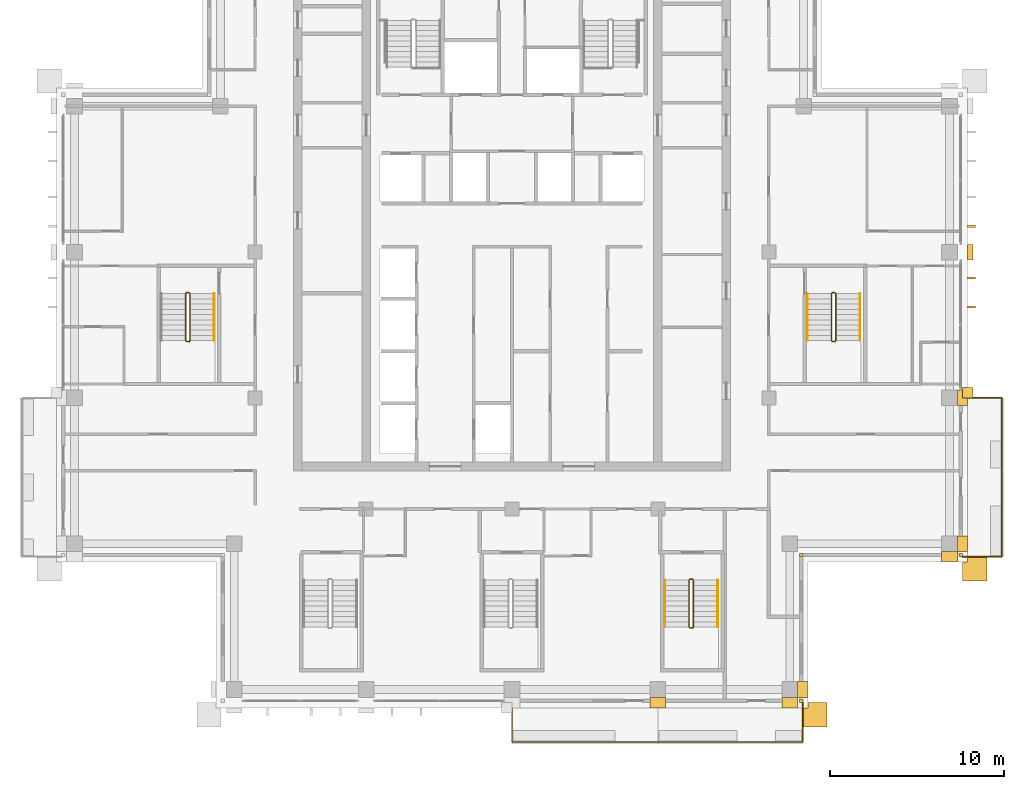
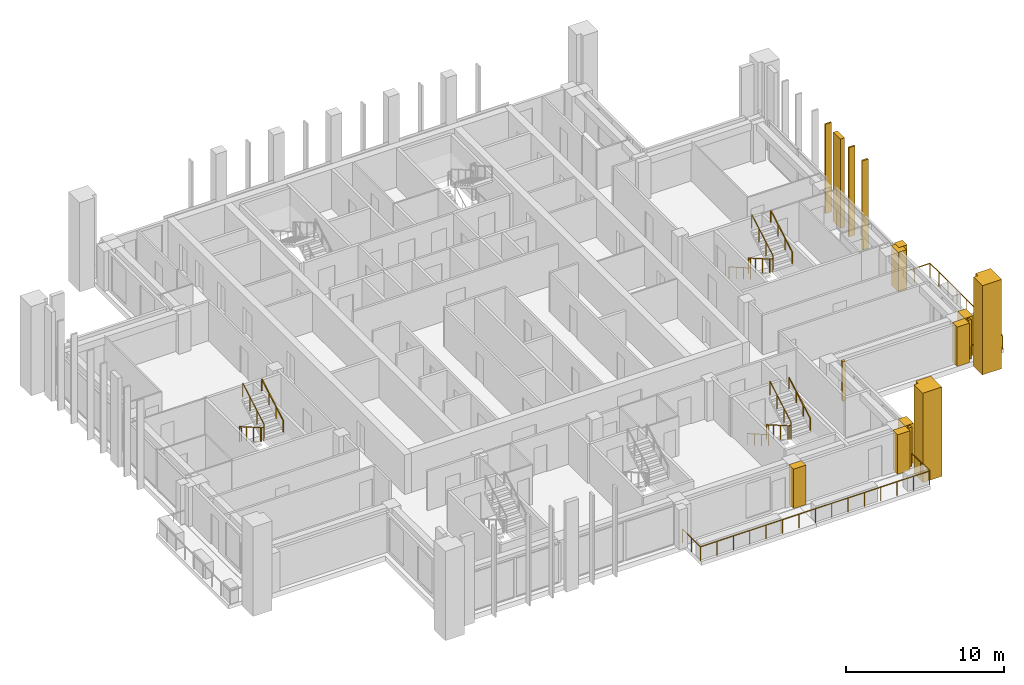
# One storey, part 16 of 18: 16 coverings, 11 railings.
"""IFC4 building model written with IfcOpenShell, lengths in metres."""

from ifc_helpers import new_model, si_unit, direction, frame, origin, origin_2d, place, context, subcontext, project, spatial, polyline, rectangle, outline, extrude, material, layer, layer_set, type_object, element, save


model = new_model("IFC4")

# Units and contexts
model_context = context("Model", 3, precision=1e-05, world=origin(), true_north=direction((0.0, 1.0)))
body_context = subcontext(model_context, "Body", "Model", "MODEL_VIEW")
ifc_project = project(units=[si_unit("LENGTHUNIT", "METRE"), si_unit("AREAUNIT", "SQUARE_METRE"), si_unit("VOLUMEUNIT", "CUBIC_METRE"), si_unit("PLANEANGLEUNIT", "RADIAN"), si_unit("MASSUNIT", "GRAM", prefix="KILO")], contexts=[model_context])

# Site, building, storey
site_placement = place(None, origin())
site = spatial("IfcSite", under=ifc_project, at=site_placement, CompositionType="ELEMENT")
building_placement = place(site_placement, origin())
building = spatial("IfcBuilding", under=site, at=building_placement, Name="Vermilion Ogive Tower", CompositionType="ELEMENT")
storey_placement = place(building_placement, frame((0.0, 0.0, 254.5)))
storey = spatial("IfcBuildingStorey", under=building, at=storey_placement, Name="L67", CompositionType="ELEMENT", Elevation=254.5)

# Railings
ifc_material_1 = material(Name="Stainless steel and glass", Category="steel")
railing_type_1 = type_object("IfcRailingType", Name="Balcony guard", PredefinedType="GUARDRAIL", material=ifc_material_1)
railing_1_placement = place(storey_placement, frame((0.0, -21.75, -0.0400390625)))
element("IfcRailing", 1, at=railing_1_placement, inside=storey, type_object=railing_type_1, Name="Guard S03", PredefinedType="GUARDRAIL", context=body_context, shape_type="SweptSolid", body=[
    extrude(rectangle(XDim=0.048095703125, YDim=0.048095703125, at=origin_2d()), frame((0.0, 0.0, 1.076171875), z_axis=(0.0, -1.0, 0.0), x_axis=(1.0, 0.0, 0.0)), (0.0, 0.0, 1.0), 2.270751953125),
    extrude(rectangle(XDim=0.048095703125, YDim=0.048095703125, at=origin_2d()), frame((0.0, -2.270751953125, 1.076171875), z_axis=(1.0, 0.0, 0.0), x_axis=(0.0, 1.0, 0.0)), (0.0, 0.0, 1.0), 8.39990234375),
    extrude(rectangle(XDim=0.0419921875, YDim=0.0419921875, at=origin_2d()), origin(), (0.0, 0.0, 1.0), 1.052001953125),
    extrude(rectangle(XDim=0.0419921875, YDim=0.0419921875, at=origin_2d()), frame((0.0, -1.13525390625, 0.0)), (0.0, 0.0, 1.0), 1.052001953125),
    extrude(rectangle(XDim=0.0419921875, YDim=0.0419921875, at=origin_2d()), frame((0.0, -2.270751953125, 0.0)), (0.0, 0.0, 1.0), 1.052001953125),
    extrude(rectangle(XDim=0.0419921875, YDim=0.0419921875, at=origin_2d()), frame((1.199951171875, -2.270751953125, 0.0)), (0.0, 0.0, 1.0), 1.052001953125),
    extrude(rectangle(XDim=0.0419921875, YDim=0.0419921875, at=origin_2d()), frame((2.39990234375, -2.270751953125, 0.0)), (0.0, 0.0, 1.0), 1.052001953125),
    extrude(rectangle(XDim=0.0419921875, YDim=0.0419921875, at=origin_2d()), frame((3.599853515625, -2.270751953125, 0.0)), (0.0, 0.0, 1.0), 1.052001953125),
    extrude(rectangle(XDim=0.0419921875, YDim=0.0419921875, at=origin_2d()), frame((4.800048828125, -2.270751953125, 0.0)), (0.0, 0.0, 1.0), 1.052001953125),
    extrude(rectangle(XDim=0.0419921875, YDim=0.0419921875, at=origin_2d()), frame((6.0, -2.270751953125, 0.0)), (0.0, 0.0, 1.0), 1.052001953125),
    extrude(rectangle(XDim=0.0419921875, YDim=0.0419921875, at=origin_2d()), frame((7.199951171875, -2.270751953125, 0.0)), (0.0, 0.0, 1.0), 1.052001953125),
    extrude(rectangle(XDim=0.0419921875, YDim=0.0419921875, at=origin_2d()), frame((8.39990234375, -2.270751953125, 0.0)), (0.0, 0.0, 1.0), 1.052001953125),
])
railing_2_placement = place(storey_placement, frame((8.39990234375, -24.020751953125, -0.0400390625)))
element("IfcRailing", 2, at=railing_2_placement, inside=storey, type_object=railing_type_1, Name="Guard S04", PredefinedType="GUARDRAIL", context=body_context, shape_type="SweptSolid", body=[
    extrude(rectangle(XDim=0.048095703125, YDim=0.048095703125, at=origin_2d()), frame((0.0, 0.0, 1.076171875), z_axis=(1.0, 0.0, 0.0), x_axis=(0.0, 1.0, 0.0)), (0.0, 0.0, 1.0), 8.35009765625),
    extrude(rectangle(XDim=0.048095703125, YDim=0.048095703125, at=origin_2d()), frame((8.35009765625, 0.0, 1.076171875), z_axis=(0.0, 1.0, 0.0), x_axis=(-1.0, 0.0, 0.0)), (0.0, 0.0, 1.0), 2.270751953125),
    extrude(rectangle(XDim=0.0419921875, YDim=0.0419921875, at=origin_2d()), origin(), (0.0, 0.0, 1.0), 1.052001953125),
    extrude(rectangle(XDim=0.0419921875, YDim=0.0419921875, at=origin_2d()), frame((1.19287109375, 0.0, 0.0)), (0.0, 0.0, 1.0), 1.052001953125),
    extrude(rectangle(XDim=0.0419921875, YDim=0.0419921875, at=origin_2d()), frame((2.3857421875, 0.0, 0.0)), (0.0, 0.0, 1.0), 1.052001953125),
    extrude(rectangle(XDim=0.0419921875, YDim=0.0419921875, at=origin_2d()), frame((3.57861328125, 0.0, 0.0)), (0.0, 0.0, 1.0), 1.052001953125),
    extrude(rectangle(XDim=0.0419921875, YDim=0.0419921875, at=origin_2d()), frame((4.771484375, 0.0, 0.0)), (0.0, 0.0, 1.0), 1.052001953125),
    extrude(rectangle(XDim=0.0419921875, YDim=0.0419921875, at=origin_2d()), frame((5.96435546875, 0.0, 0.0)), (0.0, 0.0, 1.0), 1.052001953125),
    extrude(rectangle(XDim=0.0419921875, YDim=0.0419921875, at=origin_2d()), frame((7.1572265625, 0.0, 0.0)), (0.0, 0.0, 1.0), 1.052001953125),
    extrude(rectangle(XDim=0.0419921875, YDim=0.0419921875, at=origin_2d()), frame((8.35009765625, 0.0, 0.0)), (0.0, 0.0, 1.0), 1.052001953125),
    extrude(rectangle(XDim=0.0419921875, YDim=0.0419921875, at=origin_2d()), frame((8.35009765625, 1.13525390625, 0.0)), (0.0, 0.0, 1.0), 1.052001953125),
    extrude(rectangle(XDim=0.0419921875, YDim=0.0419921875, at=origin_2d()), frame((8.35009765625, 2.270751953125, 0.0)), (0.0, 0.0, 1.0), 1.052001953125),
])
railing_3_placement = place(storey_placement, frame((25.949951171875, -13.35009765625, -0.0400390625)))
element("IfcRailing", 3, at=railing_3_placement, inside=storey, type_object=railing_type_1, Name="Guard E01", PredefinedType="GUARDRAIL", context=body_context, shape_type="SweptSolid", body=[
    extrude(rectangle(XDim=0.048095703125, YDim=0.048095703125, at=origin_2d()), frame((0.0, 0.0, 1.076171875), z_axis=(1.0, 0.0, 0.0), x_axis=(0.0, 1.0, 0.0)), (0.0, 0.0, 1.0), 2.270751953125),
    extrude(rectangle(XDim=0.048095703125, YDim=0.048095703125, at=origin_2d()), frame((2.270751953125, 0.0, 1.076171875), z_axis=(0.0, 1.0, 0.0), x_axis=(-1.0, 0.0, 0.0)), (0.0, 0.0, 1.0), 9.150146484375),
    extrude(rectangle(XDim=0.048095703125, YDim=0.048095703125, at=origin_2d()), frame((2.270751953125, 9.150146484375, 1.076171875), z_axis=(-1.0, 0.0, 0.0), x_axis=(0.0, -1.0, 0.0)), (0.0, 0.0, 1.0), 2.270751953125),
    extrude(rectangle(XDim=0.0419921875, YDim=0.0419921875, at=origin_2d()), origin(), (0.0, 0.0, 1.0), 1.052001953125),
    extrude(rectangle(XDim=0.0419921875, YDim=0.0419921875, at=origin_2d()), frame((1.13525390625, 0.0, 0.0)), (0.0, 0.0, 1.0), 1.052001953125),
    extrude(rectangle(XDim=0.0419921875, YDim=0.0419921875, at=origin_2d()), frame((2.270751953125, 0.0, 0.0)), (0.0, 0.0, 1.0), 1.052001953125),
    extrude(rectangle(XDim=0.0419921875, YDim=0.0419921875, at=origin_2d()), frame((2.270751953125, 1.143798828125, 0.0)), (0.0, 0.0, 1.0), 1.052001953125),
    extrude(rectangle(XDim=0.0419921875, YDim=0.0419921875, at=origin_2d()), frame((2.270751953125, 2.28759765625, 0.0)), (0.0, 0.0, 1.0), 1.052001953125),
    extrude(rectangle(XDim=0.0419921875, YDim=0.0419921875, at=origin_2d()), frame((2.270751953125, 3.431396484375, 0.0)), (0.0, 0.0, 1.0), 1.052001953125),
    extrude(rectangle(XDim=0.0419921875, YDim=0.0419921875, at=origin_2d()), frame((2.270751953125, 4.5751953125, 0.0)), (0.0, 0.0, 1.0), 1.052001953125),
    extrude(rectangle(XDim=0.0419921875, YDim=0.0419921875, at=origin_2d()), frame((2.270751953125, 5.71875, 0.0)), (0.0, 0.0, 1.0), 1.052001953125),
    extrude(rectangle(XDim=0.0419921875, YDim=0.0419921875, at=origin_2d()), frame((2.270751953125, 6.862548828125, 0.0)), (0.0, 0.0, 1.0), 1.052001953125),
    extrude(rectangle(XDim=0.0419921875, YDim=0.0419921875, at=origin_2d()), frame((2.270751953125, 8.00634765625, 0.0)), (0.0, 0.0, 1.0), 1.052001953125),
    extrude(rectangle(XDim=0.0419921875, YDim=0.0419921875, at=origin_2d()), frame((2.270751953125, 9.150146484375, 0.0)), (0.0, 0.0, 1.0), 1.052001953125),
    extrude(rectangle(XDim=0.0419921875, YDim=0.0419921875, at=origin_2d()), frame((1.13525390625, 9.150146484375, 0.0)), (0.0, 0.0, 1.0), 1.052001953125),
    extrude(rectangle(XDim=0.0419921875, YDim=0.0419921875, at=origin_2d()), frame((0.0, 9.150146484375, 0.0)), (0.0, 0.0, 1.0), 1.052001953125),
])

# Coverings
ifc_material_2 = material(Name="Glazed ceramic screen")
ifc_layer = layer(ifc_material_2, 0.14990234375)
ifc_layer_set = layer_set([ifc_layer], Name="Ceramic solar screen fin")
covering_type_1 = type_object("IfcCoveringType", Name="Ceramic solar screen fin", PredefinedType="CLADDING", material=ifc_layer_set)
covering_1_placement = place(storey_placement, frame((0.0, 0.0, -0.39990234375)))
element("IfcCovering", 4, at=covering_1_placement, inside=storey, type_object=covering_type_1, Name="Solar screen blade E001", PredefinedType="CLADDING", context=body_context, shape_type="SweptSolid", body=[
    extrude(outline(polyline([(26.699951171875, 0.9775390625), (26.699951171875, 1.097412109375), (26.25, 1.097412109375), (26.25, 0.9775390625), (26.699951171875, 0.9775390625)])), origin(), (0.0, 0.0, 1.0), 6.89990234375),
])
covering_2_placement = place(storey_placement, frame((0.0, 0.0, -0.39990234375)))
element("IfcCovering", 5, at=covering_2_placement, inside=storey, type_object=covering_type_1, Name="Solar screen blade E002", PredefinedType="CLADDING", context=body_context, shape_type="SweptSolid", body=[
    extrude(outline(polyline([(26.699951171875, 2.652587890625), (26.699951171875, 2.7724609375), (26.25, 2.7724609375), (26.25, 2.652587890625), (26.699951171875, 2.652587890625)])), origin(), (0.0, 0.0, 1.0), 6.89990234375),
])
covering_3_placement = place(storey_placement, frame((0.0, 0.0, -0.39990234375)))
element("IfcCovering", 6, at=covering_3_placement, inside=storey, type_object=covering_type_1, Name="Solar screen blade E011", PredefinedType="CLADDING", context=body_context, shape_type="SweptSolid", body=[
    extrude(outline(polyline([(26.699951171875, 5.62744140625), (26.699951171875, 5.74755859375), (26.25, 5.74755859375), (26.25, 5.62744140625), (26.699951171875, 5.62744140625)])), origin(), (0.0, 0.0, 1.0), 6.89990234375),
])

# Railings
ifc_material_3 = material(Name="Steel S355 painted", Category="steel")
railing_type_2 = type_object("IfcRailingType", Name="Stair guard 1100", PredefinedType="GUARDRAIL", material=ifc_material_3)
railing_4_placement = place(storey_placement, frame((10.39990234375, -14.64990234375, 0.0)))
element("IfcRailing", 7, at=railing_4_placement, inside=storey, type_object=railing_type_2, Name="L67 ST5 stair guard 4", PredefinedType="GUARDRAIL", context=body_context, shape_type="SweptSolid", body=[
    extrude(rectangle(XDim=0.048095703125, YDim=0.048095703125, at=origin_2d()), frame((0.0, 0.0, 1.076171875), z_axis=(-1.0, 0.0, 0.0), x_axis=(0.0, -1.0, 0.0)), (0.0, 0.0, 1.0), 0.14990234375),
    extrude(rectangle(XDim=0.048095703125, YDim=0.048095703125, at=origin_2d()), frame((-0.14990234375, 0.0, 1.076171875), z_axis=(-0.268277960024, -0.268277960024, 0.925231793839), x_axis=(0.707106781187, -0.707106781187, 0.0)), (0.0, 0.0, 1.0), 0.1865234375),
    extrude(rectangle(XDim=0.048095703125, YDim=0.048095703125, at=origin_2d()), frame((-0.199951171875, -0.050048828125, 1.24853515625), z_axis=(0.0, -0.866903762492, 0.498475542607), x_axis=(1.0, 0.0, 0.0)), (0.0, 0.0, 1.0), 3.114501953125),
    extrude(rectangle(XDim=0.048095703125, YDim=0.048095703125, at=origin_2d()), frame((-0.199951171875, -2.75, 2.80126953125), z_axis=(0.707106781187, -0.707106781187, 0.0), x_axis=(0.707106781187, 0.707106781187, 0.0)), (0.0, 0.0, 1.0), 0.07080078125),
    extrude(rectangle(XDim=0.048095703125, YDim=0.048095703125, at=origin_2d()), frame((-0.14990234375, -2.800048828125, 2.80126953125), z_axis=(1.0, 0.0, 0.0), x_axis=(0.0, 1.0, 0.0)), (0.0, 0.0, 1.0), 0.14990234375),
    extrude(rectangle(XDim=0.048095703125, YDim=0.048095703125, at=origin_2d()), frame((0.0, -2.800048828125, 2.80126953125), z_axis=(0.268603158521, 0.268603158521, 0.925043072762), x_axis=(-0.707106781187, 0.707106781187, 0.0)), (0.0, 0.0, 1.0), 0.186279296875),
    extrude(rectangle(XDim=0.048095703125, YDim=0.048095703125, at=origin_2d()), frame((0.050048828125, -2.75, 2.9736328125), z_axis=(0.0, 0.866903762492, 0.498475542607), x_axis=(-1.0, 0.0, 0.0)), (0.0, 0.0, 1.0), 3.114501953125),
    extrude(rectangle(XDim=0.0419921875, YDim=0.0419921875, at=origin_2d()), origin(), (0.0, 0.0, 1.0), 1.052001953125),
    extrude(rectangle(XDim=0.0419921875, YDim=0.0419921875, at=origin_2d()), frame((-0.14990234375, 0.0, 0.0)), (0.0, 0.0, 1.0), 1.052001953125),
    extrude(rectangle(XDim=0.0419921875, YDim=0.0419921875, at=origin_2d()), frame((-0.199951171875, -0.050048828125, 0.172607421875)), (0.0, 0.0, 1.0), 1.052001953125),
    extrude(rectangle(XDim=0.0419921875, YDim=0.0419921875, at=origin_2d()), frame((-0.199951171875, -0.949951171875, 0.690185546875)), (0.0, 0.0, 1.0), 1.052001953125),
    extrude(rectangle(XDim=0.0419921875, YDim=0.0419921875, at=origin_2d()), frame((-0.199951171875, -1.85009765625, 1.20751953125)), (0.0, 0.0, 1.0), 1.052001953125),
    extrude(rectangle(XDim=0.0419921875, YDim=0.0419921875, at=origin_2d()), frame((-0.199951171875, -2.75, 1.72509765625)), (0.0, 0.0, 1.0), 1.052001953125),
    extrude(rectangle(XDim=0.0419921875, YDim=0.0419921875, at=origin_2d()), frame((-0.14990234375, -2.800048828125, 1.72509765625)), (0.0, 0.0, 1.0), 1.052001953125),
    extrude(rectangle(XDim=0.0419921875, YDim=0.0419921875, at=origin_2d()), frame((0.0, -2.800048828125, 1.72509765625)), (0.0, 0.0, 1.0), 1.052001953125),
    extrude(rectangle(XDim=0.0419921875, YDim=0.0419921875, at=origin_2d()), frame((0.050048828125, -2.75, 1.8974609375)), (0.0, 0.0, 1.0), 1.052001953125),
    extrude(rectangle(XDim=0.0419921875, YDim=0.0419921875, at=origin_2d()), frame((0.050048828125, -1.85009765625, 2.4150390625)), (0.0, 0.0, 1.0), 1.052001953125),
    extrude(rectangle(XDim=0.0419921875, YDim=0.0419921875, at=origin_2d()), frame((0.050048828125, -0.949951171875, 2.932373046875)), (0.0, 0.0, 1.0), 1.052001953125),
    extrude(rectangle(XDim=0.0419921875, YDim=0.0419921875, at=origin_2d()), frame((0.050048828125, -0.050048828125, 3.449951171875)), (0.0, 0.0, 1.0), 1.052001953125),
])
railing_5_placement = place(storey_placement, frame((18.60009765625, 1.85009765625, 0.0)))
element("IfcRailing", 8, at=railing_5_placement, inside=storey, type_object=railing_type_2, Name="L67 ST8 stair guard 4", PredefinedType="GUARDRAIL", context=body_context, shape_type="SweptSolid", body=[
    extrude(rectangle(XDim=0.048095703125, YDim=0.048095703125, at=origin_2d()), frame((0.0, 0.0, 1.076171875), z_axis=(-1.0, 0.0, 0.0), x_axis=(0.0, -1.0, 0.0)), (0.0, 0.0, 1.0), 0.150146484375),
    extrude(rectangle(XDim=0.048095703125, YDim=0.048095703125, at=origin_2d()), frame((-0.150146484375, 0.0, 1.076171875), z_axis=(-0.268277960024, -0.268277960024, 0.925231793839), x_axis=(0.707106781187, -0.707106781187, 0.0)), (0.0, 0.0, 1.0), 0.1865234375),
    extrude(rectangle(XDim=0.048095703125, YDim=0.048095703125, at=origin_2d()), frame((-0.2001953125, -0.050048828125, 1.24853515625), z_axis=(0.0, -0.866903762492, 0.498475542607), x_axis=(1.0, 0.0, 0.0)), (0.0, 0.0, 1.0), 3.114501953125),
    extrude(rectangle(XDim=0.048095703125, YDim=0.048095703125, at=origin_2d()), frame((-0.2001953125, -2.75, 2.80126953125), z_axis=(0.707106781187, -0.707106781187, 0.0), x_axis=(0.707106781187, 0.707106781187, 0.0)), (0.0, 0.0, 1.0), 0.07080078125),
    extrude(rectangle(XDim=0.048095703125, YDim=0.048095703125, at=origin_2d()), frame((-0.150146484375, -2.800048828125, 2.80126953125), z_axis=(1.0, 0.0, 0.0), x_axis=(0.0, 1.0, 0.0)), (0.0, 0.0, 1.0), 0.150146484375),
    extrude(rectangle(XDim=0.048095703125, YDim=0.048095703125, at=origin_2d()), frame((0.0, -2.800048828125, 2.80126953125), z_axis=(0.267386790225, 0.268697509785, 0.925368009307), x_axis=(-0.708833529934, 0.705375805398, 0.0)), (0.0, 0.0, 1.0), 0.186279296875),
    extrude(rectangle(XDim=0.048095703125, YDim=0.048095703125, at=origin_2d()), frame((0.0498046875, -2.75, 2.9736328125), z_axis=(0.0, 0.866903762492, 0.498475542607), x_axis=(-1.0, 0.0, 0.0)), (0.0, 0.0, 1.0), 3.114501953125),
    extrude(rectangle(XDim=0.0419921875, YDim=0.0419921875, at=origin_2d()), origin(), (0.0, 0.0, 1.0), 1.052001953125),
    extrude(rectangle(XDim=0.0419921875, YDim=0.0419921875, at=origin_2d()), frame((-0.150146484375, 0.0, 0.0)), (0.0, 0.0, 1.0), 1.052001953125),
    extrude(rectangle(XDim=0.0419921875, YDim=0.0419921875, at=origin_2d()), frame((-0.2001953125, -0.050048828125, 0.172607421875)), (0.0, 0.0, 1.0), 1.052001953125),
    extrude(rectangle(XDim=0.0419921875, YDim=0.0419921875, at=origin_2d()), frame((-0.2001953125, -0.949951171875, 0.690185546875)), (0.0, 0.0, 1.0), 1.052001953125),
    extrude(rectangle(XDim=0.0419921875, YDim=0.0419921875, at=origin_2d()), frame((-0.2001953125, -1.85009765625, 1.20751953125)), (0.0, 0.0, 1.0), 1.052001953125),
    extrude(rectangle(XDim=0.0419921875, YDim=0.0419921875, at=origin_2d()), frame((-0.2001953125, -2.75, 1.72509765625)), (0.0, 0.0, 1.0), 1.052001953125),
    extrude(rectangle(XDim=0.0419921875, YDim=0.0419921875, at=origin_2d()), frame((-0.150146484375, -2.800048828125, 1.72509765625)), (0.0, 0.0, 1.0), 1.052001953125),
    extrude(rectangle(XDim=0.0419921875, YDim=0.0419921875, at=origin_2d()), frame((0.0, -2.800048828125, 1.72509765625)), (0.0, 0.0, 1.0), 1.052001953125),
    extrude(rectangle(XDim=0.0419921875, YDim=0.0419921875, at=origin_2d()), frame((0.0498046875, -2.75, 1.8974609375)), (0.0, 0.0, 1.0), 1.052001953125),
    extrude(rectangle(XDim=0.0419921875, YDim=0.0419921875, at=origin_2d()), frame((0.0498046875, -1.85009765625, 2.4150390625)), (0.0, 0.0, 1.0), 1.052001953125),
    extrude(rectangle(XDim=0.0419921875, YDim=0.0419921875, at=origin_2d()), frame((0.0498046875, -0.949951171875, 2.932373046875)), (0.0, 0.0, 1.0), 1.052001953125),
    extrude(rectangle(XDim=0.0419921875, YDim=0.0419921875, at=origin_2d()), frame((0.0498046875, -0.050048828125, 3.449951171875)), (0.0, 0.0, 1.0), 1.052001953125),
])
railing_6_placement = place(storey_placement, frame((-18.60009765625, 1.85009765625, 0.0)))
element("IfcRailing", 9, at=railing_6_placement, inside=storey, type_object=railing_type_2, Name="L67 ST9 stair guard 4", PredefinedType="GUARDRAIL", context=body_context, shape_type="SweptSolid", body=[
    extrude(rectangle(XDim=0.048095703125, YDim=0.048095703125, at=origin_2d()), frame((0.0, 0.0, 1.076171875), z_axis=(-1.0, 0.0, 0.0), x_axis=(0.0, -1.0, 0.0)), (0.0, 0.0, 1.0), 0.14990234375),
    extrude(rectangle(XDim=0.048095703125, YDim=0.048095703125, at=origin_2d()), frame((-0.14990234375, 0.0, 1.076171875), z_axis=(-0.268277960024, -0.268277960024, 0.925231793839), x_axis=(0.707106781187, -0.707106781187, 0.0)), (0.0, 0.0, 1.0), 0.1865234375),
    extrude(rectangle(XDim=0.048095703125, YDim=0.048095703125, at=origin_2d()), frame((-0.199951171875, -0.050048828125, 1.24853515625), z_axis=(0.0, -0.866903762492, 0.498475542607), x_axis=(1.0, 0.0, 0.0)), (0.0, 0.0, 1.0), 3.114501953125),
    extrude(rectangle(XDim=0.048095703125, YDim=0.048095703125, at=origin_2d()), frame((-0.199951171875, -2.75, 2.80126953125), z_axis=(0.707106781187, -0.707106781187, 0.0), x_axis=(0.707106781187, 0.707106781187, 0.0)), (0.0, 0.0, 1.0), 0.07080078125),
    extrude(rectangle(XDim=0.048095703125, YDim=0.048095703125, at=origin_2d()), frame((-0.14990234375, -2.800048828125, 2.80126953125), z_axis=(1.0, 0.0, 0.0), x_axis=(0.0, 1.0, 0.0)), (0.0, 0.0, 1.0), 0.14990234375),
    extrude(rectangle(XDim=0.048095703125, YDim=0.048095703125, at=origin_2d()), frame((0.0, -2.800048828125, 2.80126953125), z_axis=(0.268603158521, 0.268603158521, 0.925043072762), x_axis=(-0.707106781187, 0.707106781187, 0.0)), (0.0, 0.0, 1.0), 0.186279296875),
    extrude(rectangle(XDim=0.048095703125, YDim=0.048095703125, at=origin_2d()), frame((0.050048828125, -2.75, 2.9736328125), z_axis=(0.0, 0.866903762492, 0.498475542607), x_axis=(-1.0, 0.0, 0.0)), (0.0, 0.0, 1.0), 3.114501953125),
    extrude(rectangle(XDim=0.0419921875, YDim=0.0419921875, at=origin_2d()), origin(), (0.0, 0.0, 1.0), 1.052001953125),
    extrude(rectangle(XDim=0.0419921875, YDim=0.0419921875, at=origin_2d()), frame((-0.14990234375, 0.0, 0.0)), (0.0, 0.0, 1.0), 1.052001953125),
    extrude(rectangle(XDim=0.0419921875, YDim=0.0419921875, at=origin_2d()), frame((-0.199951171875, -0.050048828125, 0.172607421875)), (0.0, 0.0, 1.0), 1.052001953125),
    extrude(rectangle(XDim=0.0419921875, YDim=0.0419921875, at=origin_2d()), frame((-0.199951171875, -0.949951171875, 0.690185546875)), (0.0, 0.0, 1.0), 1.052001953125),
    extrude(rectangle(XDim=0.0419921875, YDim=0.0419921875, at=origin_2d()), frame((-0.199951171875, -1.85009765625, 1.20751953125)), (0.0, 0.0, 1.0), 1.052001953125),
    extrude(rectangle(XDim=0.0419921875, YDim=0.0419921875, at=origin_2d()), frame((-0.199951171875, -2.75, 1.72509765625)), (0.0, 0.0, 1.0), 1.052001953125),
    extrude(rectangle(XDim=0.0419921875, YDim=0.0419921875, at=origin_2d()), frame((-0.14990234375, -2.800048828125, 1.72509765625)), (0.0, 0.0, 1.0), 1.052001953125),
    extrude(rectangle(XDim=0.0419921875, YDim=0.0419921875, at=origin_2d()), frame((0.0, -2.800048828125, 1.72509765625)), (0.0, 0.0, 1.0), 1.052001953125),
    extrude(rectangle(XDim=0.0419921875, YDim=0.0419921875, at=origin_2d()), frame((0.050048828125, -2.75, 1.8974609375)), (0.0, 0.0, 1.0), 1.052001953125),
    extrude(rectangle(XDim=0.0419921875, YDim=0.0419921875, at=origin_2d()), frame((0.050048828125, -1.85009765625, 2.4150390625)), (0.0, 0.0, 1.0), 1.052001953125),
    extrude(rectangle(XDim=0.0419921875, YDim=0.0419921875, at=origin_2d()), frame((0.050048828125, -0.949951171875, 2.932373046875)), (0.0, 0.0, 1.0), 1.052001953125),
    extrude(rectangle(XDim=0.0419921875, YDim=0.0419921875, at=origin_2d()), frame((0.050048828125, -0.050048828125, 3.449951171875)), (0.0, 0.0, 1.0), 1.052001953125),
])
ifc_material_4 = material(Name="Stainless steel", Category="steel")
railing_type_3 = type_object("IfcRailingType", Name="Stair handrail 900", PredefinedType="HANDRAIL", material=ifc_material_4)
railing_7_placement = place(storey_placement, frame((8.800048828125, -14.699951171875, 0.172607421875)))
element("IfcRailing", 10, at=railing_7_placement, inside=storey, type_object=railing_type_3, Name="L67 ST5 stair handrail 1", PredefinedType="HANDRAIL", context=body_context, shape_type="SweptSolid", body=[
    extrude(rectangle(XDim=0.048095703125, YDim=0.048095703125, at=origin_2d()), frame((0.0, 0.0, 0.8759765625), z_axis=(0.0, -0.866903762492, 0.498475542607), x_axis=(1.0, 0.0, 0.0)), (0.0, 0.0, 1.0), 3.114501953125),
    extrude(rectangle(XDim=0.0419921875, YDim=0.0419921875, at=origin_2d()), origin(), (0.0, 0.0, 1.0), 0.851806640625),
    extrude(rectangle(XDim=0.0419921875, YDim=0.0419921875, at=origin_2d()), frame((0.0, -0.89990234375, 0.517578125)), (0.0, 0.0, 1.0), 0.851806640625),
    extrude(rectangle(XDim=0.0419921875, YDim=0.0419921875, at=origin_2d()), frame((0.0, -1.800048828125, 1.034912109375)), (0.0, 0.0, 1.0), 0.851806640625),
    extrude(rectangle(XDim=0.0419921875, YDim=0.0419921875, at=origin_2d()), frame((0.0, -2.699951171875, 1.552490234375)), (0.0, 0.0, 1.0), 0.851806640625),
])
railing_8_placement = place(storey_placement, frame((11.85009765625, -17.39990234375, 1.8974609375)))
element("IfcRailing", 11, at=railing_8_placement, inside=storey, type_object=railing_type_3, Name="L67 ST5 stair handrail 2", PredefinedType="HANDRAIL", context=body_context, shape_type="SweptSolid", body=[
    extrude(rectangle(XDim=0.048095703125, YDim=0.048095703125, at=origin_2d()), frame((0.0, 0.0, 0.8759765625), z_axis=(0.0, 0.866903762492, 0.498475542607), x_axis=(-1.0, 0.0, 0.0)), (0.0, 0.0, 1.0), 3.114501953125),
    extrude(rectangle(XDim=0.0419921875, YDim=0.0419921875, at=origin_2d()), origin(), (0.0, 0.0, 1.0), 0.851806640625),
    extrude(rectangle(XDim=0.0419921875, YDim=0.0419921875, at=origin_2d()), frame((0.0, 0.89990234375, 0.517578125)), (0.0, 0.0, 1.0), 0.851806640625),
    extrude(rectangle(XDim=0.0419921875, YDim=0.0419921875, at=origin_2d()), frame((0.0, 1.800048828125, 1.034912109375)), (0.0, 0.0, 1.0), 0.851806640625),
    extrude(rectangle(XDim=0.0419921875, YDim=0.0419921875, at=origin_2d()), frame((0.0, 2.699951171875, 1.552490234375)), (0.0, 0.0, 1.0), 0.851806640625),
])
railing_9_placement = place(storey_placement, frame((17.0, 1.800048828125, 0.172607421875)))
element("IfcRailing", 12, at=railing_9_placement, inside=storey, type_object=railing_type_3, Name="L67 ST8 stair handrail 1", PredefinedType="HANDRAIL", context=body_context, shape_type="SweptSolid", body=[
    extrude(rectangle(XDim=0.048095703125, YDim=0.048095703125, at=origin_2d()), frame((0.0, 0.0, 0.8759765625), z_axis=(0.0, -0.866903762492, 0.498475542607), x_axis=(1.0, 0.0, 0.0)), (0.0, 0.0, 1.0), 3.114501953125),
    extrude(rectangle(XDim=0.0419921875, YDim=0.0419921875, at=origin_2d()), origin(), (0.0, 0.0, 1.0), 0.851806640625),
    extrude(rectangle(XDim=0.0419921875, YDim=0.0419921875, at=origin_2d()), frame((0.0, -0.89990234375, 0.517578125)), (0.0, 0.0, 1.0), 0.851806640625),
    extrude(rectangle(XDim=0.0419921875, YDim=0.0419921875, at=origin_2d()), frame((0.0, -1.800048828125, 1.034912109375)), (0.0, 0.0, 1.0), 0.851806640625),
    extrude(rectangle(XDim=0.0419921875, YDim=0.0419921875, at=origin_2d()), frame((0.0, -2.699951171875, 1.552490234375)), (0.0, 0.0, 1.0), 0.851806640625),
])
for number, where, name in (
    (13, (20.050048828125, -0.89990234375, 1.8974609375), "L67 ST8 stair handrail 2"),
    (14, (-17.14990234375, -0.89990234375, 1.8974609375), "L67 ST9 stair handrail 2"),
):
    element("IfcRailing", number, at=place(storey_placement, frame(where)), inside=storey, type_object=railing_type_3, Name=name, PredefinedType="HANDRAIL", context=body_context, shape_type="SweptSolid", body=[
        extrude(rectangle(XDim=0.048095703125, YDim=0.048095703125, at=origin_2d()), frame((0.0, 0.0, 0.8759765625), z_axis=(0.0, 0.866903762492, 0.498475542607), x_axis=(-1.0, 0.0, 0.0)), (0.0, 0.0, 1.0), 3.114501953125),
        extrude(rectangle(XDim=0.0419921875, YDim=0.0419921875, at=origin_2d()), origin(), (0.0, 0.0, 1.0), 0.851806640625),
        extrude(rectangle(XDim=0.0419921875, YDim=0.0419921875, at=origin_2d()), frame((0.0, 0.89990234375, 0.517578125)), (0.0, 0.0, 1.0), 0.851806640625),
        extrude(rectangle(XDim=0.0419921875, YDim=0.0419921875, at=origin_2d()), frame((0.0, 1.800048828125, 1.034912109375)), (0.0, 0.0, 1.0), 0.851806640625),
        extrude(rectangle(XDim=0.0419921875, YDim=0.0419921875, at=origin_2d()), frame((0.0, 2.699951171875, 1.552490234375)), (0.0, 0.0, 1.0), 0.851806640625),
    ])

# Coverings
ifc_material_5 = material(Name="Stone cladding", Category="masonry")
covering_type_2 = type_object("IfcCoveringType", Name="Stone corner buttress", PredefinedType="CLADDING", material=ifc_material_5)
covering_4_placement = place(storey_placement, origin())
element("IfcCovering", 15, at=covering_4_placement, inside=storey, type_object=covering_type_2, Name="Stone crease pier EK", PredefinedType="CLADDING", context=body_context, shape_type="SweptSolid", body=[
    extrude(outline(polyline([(26.550048828125, -4.199951171875), (26.550048828125, -3.60009765625), (25.949951171875, -3.60009765625), (25.949951171875, -4.199951171875), (26.550048828125, -4.199951171875)])), origin(), (0.0, 0.0, 1.0), 3.050048828125),
])
covering_5_placement = place(storey_placement, frame((0.0, 0.0, -0.39990234375)))
element("IfcCovering", 16, at=covering_5_placement, inside=storey, type_object=covering_type_2, Name="Stone corner buttress X11", PredefinedType="CLADDING", context=body_context, shape_type="SweptSolid", body=[
    extrude(outline(polyline([(16.75, -23.14990234375), (16.75, -22.050048828125), (17.050048828125, -22.050048828125), (17.050048828125, -21.75), (18.14990234375, -21.75), (18.14990234375, -23.14990234375), (16.75, -23.14990234375)])), origin(), (0.0, 0.0, 1.0), 6.89990234375),
])
covering_6_placement = place(storey_placement, frame((0.0, 0.0, -0.39990234375)))
element("IfcCovering", 17, at=covering_6_placement, inside=storey, type_object=covering_type_2, Name="Stone corner buttress E1", PredefinedType="CLADDING", context=body_context, shape_type="SweptSolid", body=[
    extrude(outline(polyline([(26.25, -13.64990234375), (26.25, -13.35009765625), (27.35009765625, -13.35009765625), (27.35009765625, -14.75), (25.949951171875, -14.75), (25.949951171875, -13.64990234375), (26.25, -13.64990234375)])), origin(), (0.0, 0.0, 1.0), 6.89990234375),
])
ifc_material_6 = material(Name="Stone cladding", Category="masonry")
covering_type_3 = type_object("IfcCoveringType", Name="Stone pier", PredefinedType="CLADDING", material=ifc_material_6)
covering_7_placement = place(storey_placement, origin())
element("IfcCovering", 18, at=covering_7_placement, inside=storey, type_object=covering_type_3, Name="Stone corner pier SE1", PredefinedType="CLADDING", context=body_context, shape_type="SweptSolid", body=[
    extrude(outline(polyline([(16.550048828125, -21.550048828125), (16.75, -21.550048828125), (16.75, -21.75), (16.550048828125, -21.75), (16.550048828125, -21.550048828125)])), origin(), (0.0, 0.0, 1.0), 3.050048828125),
])
covering_8_placement = place(storey_placement, origin())
element("IfcCovering", 19, at=covering_8_placement, inside=storey, type_object=covering_type_3, Name="Stone corner pier X1E1", PredefinedType="CLADDING", context=body_context, shape_type="SweptSolid", body=[
    extrude(outline(polyline([(16.550048828125, -13.14990234375), (16.75, -13.14990234375), (16.75, -13.35009765625), (16.550048828125, -13.35009765625), (16.550048828125, -13.14990234375)])), origin(), (0.0, 0.0, 1.0), 3.050048828125),
])
covering_9_placement = place(storey_placement, origin())
element("IfcCovering", 20, at=covering_9_placement, inside=storey, type_object=covering_type_3, Name="Stone corner pier X2E1", PredefinedType="CLADDING", context=body_context, shape_type="SweptSolid", body=[
    extrude(outline(polyline([(25.75, -13.14990234375), (25.949951171875, -13.14990234375), (25.949951171875, -13.35009765625), (25.75, -13.35009765625), (25.75, -13.14990234375)])), origin(), (0.0, 0.0, 1.0), 3.050048828125),
])
covering_10_placement = place(storey_placement, frame((0.0, 0.0, -0.39990234375)))
element("IfcCovering", 21, at=covering_10_placement, inside=storey, type_object=covering_type_3, Name="Stone pier P+0252+042", PredefinedType="CLADDING", context=body_context, shape_type="SweptSolid", body=[
    extrude(outline(polyline([(26.550048828125, 4.64990234375), (26.550048828125, 3.75), (26.25, 3.75), (26.25, 4.64990234375), (26.550048828125, 4.64990234375)])), origin(), (0.0, 0.0, 1.0), 6.89990234375),
])
covering_11_placement = place(storey_placement, origin())
element("IfcCovering", 22, at=covering_11_placement, inside=storey, type_object=covering_type_3, Name="Stone pier P+0084-210", PredefinedType="CLADDING", context=body_context, shape_type="SweptSolid", body=[
    extrude(outline(polyline([(8.85009765625, -21.449951171875), (8.85009765625, -22.050048828125), (7.949951171875, -22.050048828125), (7.949951171875, -21.449951171875), (7.949951171875, -21.449951171875), (8.85009765625, -21.449951171875)])), origin(), (0.0, 0.0, 1.0), 3.050048828125),
])
covering_12_placement = place(storey_placement, origin())
element("IfcCovering", 23, at=covering_12_placement, inside=storey, type_object=covering_type_3, Name="Stone pier P+0160-210S", PredefinedType="CLADDING", context=body_context, shape_type="SweptSolid", body=[
    extrude(outline(polyline([(16.449951171875, -21.449951171875), (16.449951171875, -21.449951171875), (16.449951171875, -22.050048828125), (15.550048828125, -22.050048828125), (15.550048828125, -21.449951171875), (15.550048828125, -21.449951171875), (16.449951171875, -21.449951171875)])), origin(), (0.0, 0.0, 1.0), 3.050048828125),
])
covering_13_placement = place(storey_placement, origin())
element("IfcCovering", 24, at=covering_13_placement, inside=storey, type_object=covering_type_3, Name="Stone pier P+0160-210X1", PredefinedType="CLADDING", context=body_context, shape_type="SweptSolid", body=[
    extrude(outline(polyline([(17.050048828125, -21.449951171875), (16.449951171875, -21.449951171875), (16.449951171875, -21.449951171875), (16.449951171875, -20.550048828125), (17.050048828125, -20.550048828125), (17.050048828125, -21.449951171875)])), origin(), (0.0, 0.0, 1.0), 3.050048828125),
])
covering_14_placement = place(storey_placement, origin())
element("IfcCovering", 25, at=covering_14_placement, inside=storey, type_object=covering_type_3, Name="Stone pier P+0252-042", PredefinedType="CLADDING", context=body_context, shape_type="SweptSolid", body=[
    extrude(outline(polyline([(25.949951171875, -3.75), (25.949951171875, -4.199951171875), (26.25, -4.199951171875), (26.25, -4.64990234375), (25.64990234375, -4.64990234375), (25.64990234375, -3.75), (25.949951171875, -3.75)])), origin(), (0.0, 0.0, 1.0), 3.050048828125),
])
covering_15_placement = place(storey_placement, origin())
element("IfcCovering", 26, at=covering_15_placement, inside=storey, type_object=covering_type_3, Name="Stone pier P+0252-126X2", PredefinedType="CLADDING", context=body_context, shape_type="SweptSolid", body=[
    extrude(outline(polyline([(25.64990234375, -13.64990234375), (24.75, -13.64990234375), (24.75, -13.050048828125), (25.64990234375, -13.050048828125), (25.64990234375, -13.64990234375)])), origin(), (0.0, 0.0, 1.0), 3.050048828125),
])
covering_16_placement = place(storey_placement, origin())
element("IfcCovering", 27, at=covering_16_placement, inside=storey, type_object=covering_type_3, Name="Stone pier P+0252-126E", PredefinedType="CLADDING", context=body_context, shape_type="SweptSolid", body=[
    extrude(outline(polyline([(26.25, -13.050048828125), (25.64990234375, -13.050048828125), (25.64990234375, -12.14990234375), (26.25, -12.14990234375), (26.25, -13.050048828125)])), origin(), (0.0, 0.0, 1.0), 3.050048828125),
])

save(model, "model.ifc")
